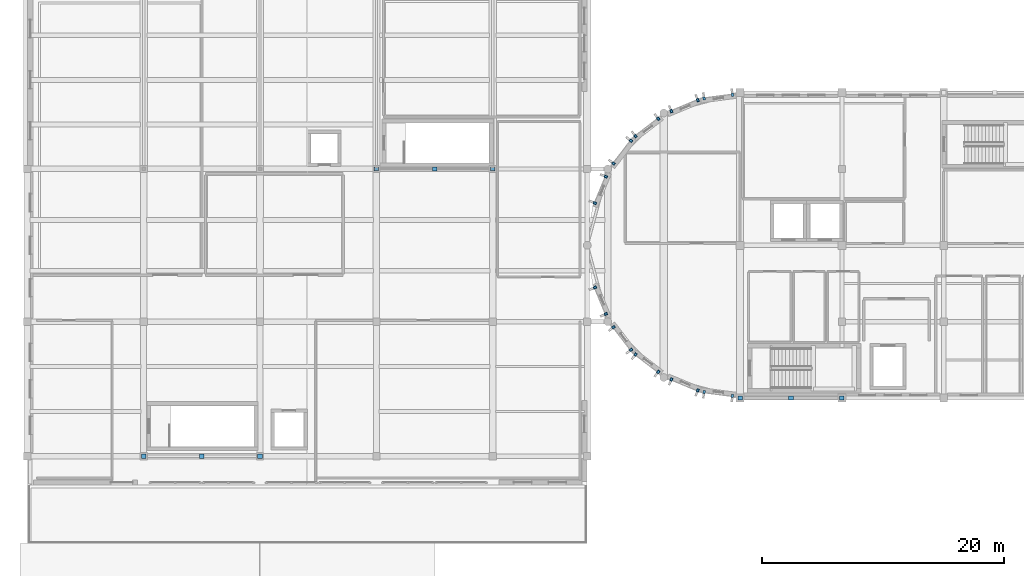
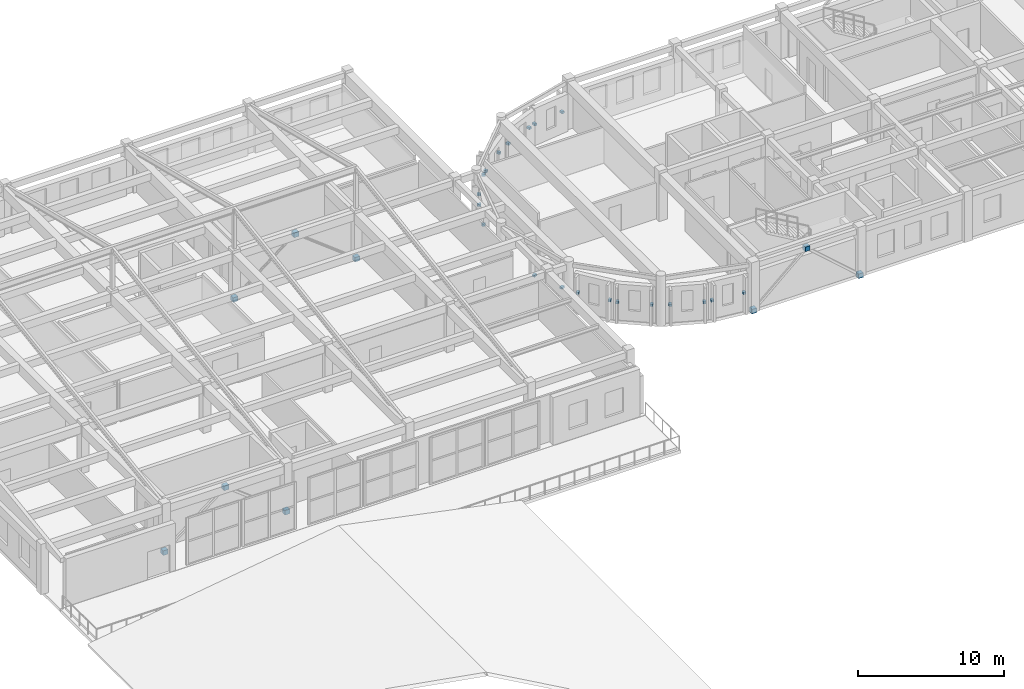
# One storey, part 21 of 29: 29 discrete accessories.
"""IFC4 building model written with IfcOpenShell, lengths in metres."""

from ifc_helpers import new_model, si_unit, direction, frame, origin, origin_2d, place, context, subcontext, project, spatial, rectangle, extrude, material, type_object, element, save


model = new_model("IFC4")

# Units and contexts
model_context = context("Model", 3, precision=1e-05, world=origin(), true_north=direction((0.0, 1.0)))
body_context = subcontext(model_context, "Body", "Model", "MODEL_VIEW")
ifc_project = project(units=[si_unit("LENGTHUNIT", "METRE"), si_unit("AREAUNIT", "SQUARE_METRE"), si_unit("VOLUMEUNIT", "CUBIC_METRE"), si_unit("PLANEANGLEUNIT", "RADIAN"), si_unit("MASSUNIT", "GRAM", prefix="KILO")], contexts=[model_context])

# Site, building, storey
site_placement = place(None, origin())
site = spatial("IfcSite", under=ifc_project, at=site_placement, CompositionType="ELEMENT")
building_placement = place(site_placement, origin())
building = spatial("IfcBuilding", under=site, at=building_placement, Name="Tarnavel Promenade Courthouse", CompositionType="ELEMENT")
storey_placement = place(building_placement, frame((0.0, 0.0, 22.800048828125)))
storey = spatial("IfcBuildingStorey", under=building, at=storey_placement, Name="L06", CompositionType="ELEMENT", Elevation=22.800048828125)

# Discrete accessories
ifc_material = material(Name="Steel S355J2", Category="steel")
discrete_accessory_type_1 = type_object("IfcDiscreteAccessoryType", Name="Steel S355J2 Facade Pier Anchor Bracket", PredefinedType="BRACKET", material=ifc_material)
for number, where, z_axis, x_axis, name in (
    (1, (58.173583984375, 104.216796875, 1.4599609375), (0.0, 0.0, 1.0), (-0.991444861374, -0.13052619222, 0.0), "L06 Drum Pier Bracket 0179"),
    (2, (55.82958984375, 103.908203125, 1.4599609375), (0.0, 0.0, 1.0), (-0.991444861374, -0.13052619222, 0.0), "L06 Drum Pier Bracket 0180"),
    (3, (55.318603515625, 103.77099609375, 1.41015625), (0.0, 0.0, 1.0), (-0.923879532511, -0.382683432365, 0.0), "L06 Drum Pier Bracket 0181"),
    (4, (53.13427734375, 102.866455078125, 1.41015625), (0.0, 0.0, 1.0), (-0.923879532511, -0.382683432365, 0.0), "L06 Drum Pier Bracket 0182"),
    (5, (52.04931640625, 102.239990234375, 1.41015625), (0.0, 0.0, 1.0), (-0.793353340291, -0.608761429009, 0.0), "L06 Drum Pier Bracket 0183"),
    (6, (50.173583984375, 100.80078125, 1.41015625), (0.0, 0.0, 1.0), (-0.793353340291, -0.608761429009, 0.0), "L06 Drum Pier Bracket 0184"),
    (7, (49.79931640625, 100.426513671875, 1.4599609375), (0.0, 0.0, 1.0), (-0.608761429009, -0.793353340291, 0.0), "L06 Drum Pier Bracket 0185"),
    (8, (48.360107421875, 98.55078125, 1.4599609375), (0.0, 0.0, 1.0), (-0.608761429009, -0.793353340291, 0.0), "L06 Drum Pier Bracket 0186"),
    (9, (47.733642578125, 97.4658203125, 1.4599609375), (0.0, 0.0, 1.0), (-0.382683432365, -0.923879532511, 0.0), "L06 Drum Pier Bracket 0187"),
    (10, (46.828857421875, 95.281494140625, 1.4599609375), (0.0, 0.0, 1.0), (-0.382683432365, -0.923879532511, 0.0), "L06 Drum Pier Bracket 0188"),
    (11, (46.828857421875, 88.318603515625, 1.4599609375), (0.0, 0.0, 1.0), (0.382683432365, -0.923879532511, 0.0), "L06 Drum Pier Bracket 0189"),
    (12, (47.733642578125, 86.13427734375, 1.4599609375), (0.0, 0.0, 1.0), (0.382683432365, -0.923879532511, 0.0), "L06 Drum Pier Bracket 0190"),
    (13, (48.360107421875, 85.04931640625, 1.4599609375), (0.0, 0.0, 1.0), (0.608761429009, -0.793353340291, 0.0), "L06 Drum Pier Bracket 0191"),
    (14, (49.79931640625, 83.173583984375, 1.4599609375), (0.0, 0.0, 1.0), (0.608761429009, -0.793353340291, 0.0), "L06 Drum Pier Bracket 0192"),
    (15, (50.173583984375, 82.79931640625, 1.41015625), (0.0, 0.0, 1.0), (0.793353340291, -0.608761429009, 0.0), "L06 Drum Pier Bracket 0193"),
    (16, (52.04931640625, 81.360107421875, 1.41015625), (0.0, 0.0, 1.0), (0.793353340291, -0.608761429009, 0.0), "L06 Drum Pier Bracket 0194"),
    (17, (53.13427734375, 80.733642578125, 1.41015625), (0.0, 0.0, 1.0), (0.923879532511, -0.382683432365, 0.0), "L06 Drum Pier Bracket 0195"),
    (18, (55.318603515625, 79.828857421875, 1.41015625), (0.0, 0.0, 1.0), (0.923879532511, -0.382683432365, 0.0), "L06 Drum Pier Bracket 0196"),
    (19, (55.82958984375, 79.69189453125, 1.4599609375), (0.0, 0.0, 1.0), (0.991444861374, -0.13052619222, 0.0), "L06 Drum Pier Bracket 0197"),
    (20, (58.173583984375, 79.38330078125, 1.4599609375), (0.0, 0.0, 1.0), (0.991444861374, -0.13052619222, 0.0), "L06 Drum Pier Bracket 0198"),
):
    element("IfcDiscreteAccessory", number, at=place(storey_placement, frame(where, z_axis=z_axis, x_axis=x_axis)), inside=storey, type_object=discrete_accessory_type_1, Name=name, PredefinedType="BRACKET", context=body_context, shape_type="SweptSolid", body=[
        extrude(rectangle(XDim=0.199951171875, YDim=0.260009765625, at=origin_2d()), origin(), (0.0, 0.0, 1.0), 0.179931640625),
    ])
discrete_accessory_type_2 = type_object("IfcDiscreteAccessoryType", Name="Steel S355J2 Structural Connection Bracket", PredefinedType="BRACKET", material=ifc_material)
for number, where, z_axis, x_axis, name in (
    (21, (58.800048828125, 79.199951171875, -0.18994140625), (0.0, 0.0, 1.0), (1.0, 0.0, 0.0), "L06 V5 Chevron Brace Gusset Node 007-L"),
    (22, (63.0, 79.199951171875, 3.52490234375), (0.0, 0.0, 1.0), (1.0, 0.0, 0.0), "L06 V5 Chevron Brace Gusset Node 007-M"),
    (23, (67.199951171875, 79.199951171875, -0.18994140625), (0.0, 0.0, 1.0), (1.0, 0.0, 0.0), "L06 V5 Chevron Brace Gusset Node 007-R"),
    (24, (9.60009765625, 74.39990234375, -0.18994140625), (0.0, 0.0, 1.0), (1.0, 0.0, 0.0), "L06 V2 Chevron Brace Gusset Node 034-L"),
    (25, (14.39990234375, 74.39990234375, 3.52490234375), (0.0, 0.0, 1.0), (1.0, 0.0, 0.0), "L06 V2 Chevron Brace Gusset Node 034-M"),
    (26, (19.199951171875, 74.39990234375, -0.18994140625), (0.0, 0.0, 1.0), (1.0, 0.0, 0.0), "L06 V2 Chevron Brace Gusset Node 034-R"),
    (27, (28.800048828125, 98.10009765625, -0.18994140625), (0.0, 0.0, 1.0), (1.0, 0.0, 0.0), "L06 V2 Chevron Brace Gusset Node 041-L"),
    (28, (33.60009765625, 98.10009765625, 3.52490234375), (0.0, 0.0, 1.0), (1.0, 0.0, 0.0), "L06 V2 Chevron Brace Gusset Node 041-M"),
    (29, (38.39990234375, 98.10009765625, -0.18994140625), (0.0, 0.0, 1.0), (1.0, 0.0, 0.0), "L06 V2 Chevron Brace Gusset Node 041-R"),
):
    element("IfcDiscreteAccessory", number, at=place(storey_placement, frame(where, z_axis=z_axis, x_axis=x_axis)), inside=storey, type_object=discrete_accessory_type_2, Name=name, PredefinedType="BRACKET", context=body_context, shape_type="SweptSolid", body=[
        extrude(rectangle(XDim=0.3798828125, YDim=0.360107421875, at=origin_2d()), origin(), (0.0, 0.0, 1.0), 0.3798828125),
    ])

save(model, "model.ifc")
